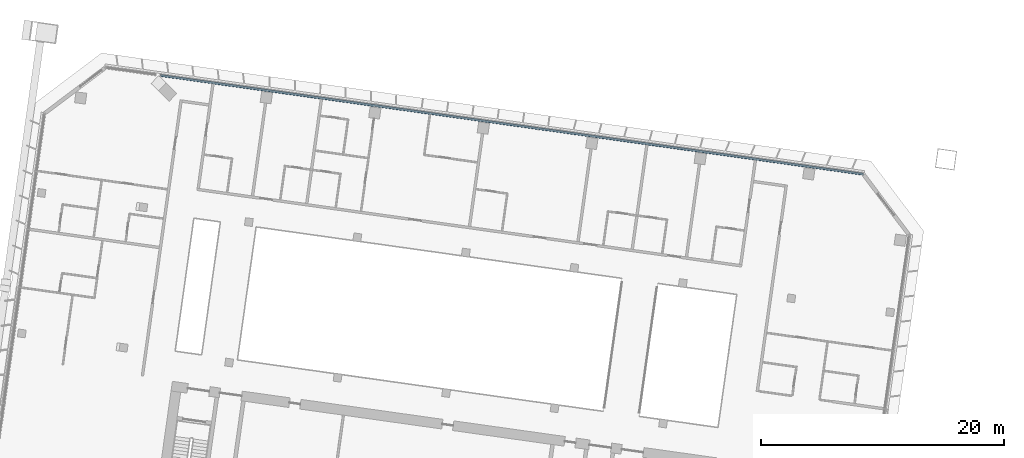
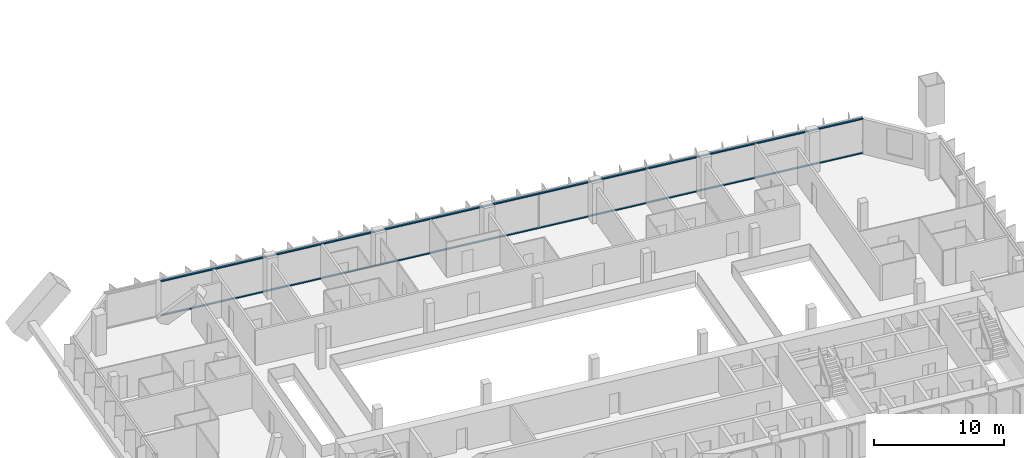
# One storey, part 6 of 34: 2 members, 1 element without a shape of its own.
"""IFC4 building model written with IfcOpenShell, lengths in metres."""

from ifc_helpers import new_model, si_unit, direction, frame, origin, origin_2d, place, context, subcontext, project, spatial, rectangle, extrude, material, material_profile, profile_set, type_object, element, aggregate, save


model = new_model("IFC4")

# Units and contexts
model_context = context("Model", 3, precision=1e-05, world=origin(), true_north=direction((0.0, 1.0)))
body_context = subcontext(model_context, "Body", "Model", "MODEL_VIEW")
ifc_project = project(units=[si_unit("LENGTHUNIT", "METRE"), si_unit("AREAUNIT", "SQUARE_METRE"), si_unit("VOLUMEUNIT", "CUBIC_METRE"), si_unit("PLANEANGLEUNIT", "RADIAN"), si_unit("MASSUNIT", "GRAM", prefix="KILO")], contexts=[model_context])

# Site, building, storey
site_placement = place(None, origin())
site = spatial("IfcSite", under=ifc_project, at=site_placement, CompositionType="ELEMENT")
building_placement = place(site_placement, origin())
building = spatial("IfcBuilding", under=site, at=building_placement, Name="Mirante Cascada Hotel Towers", CompositionType="ELEMENT")
storey_placement = place(building_placement, frame((0.0, 0.0, 148.1)))
storey = spatial("IfcBuildingStorey", under=building, at=storey_placement, Name="L34", CompositionType="ELEMENT", Elevation=148.1)

# Curtain wall, members
ifc_material_1 = material(Name="Aluminium mullion and transom frame with clear laminated glass", Category="aluminium")
curtain_wall_type = type_object("IfcCurtainWallType", Name="Ribbon curtain wall ECW1", PredefinedType="NOTDEFINED", material=ifc_material_1)
curtain_wall_placement = place(storey_placement, origin())
curtain_wall = element("IfcCurtainWall", 1, at=curtain_wall_placement, inside=storey, type_object=curtain_wall_type, Name="Front ribbon wall T1 L34", PredefinedType="NOTDEFINED")
ifc_material_2 = material(Name="Anodised aluminium extrusion", Category="aluminium")
ifc_material_profile = material_profile(ifc_material_2, rectangle(XDim=0.16, YDim=0.1, at=origin_2d()), Name="ECW1 TRANSOM 100x160")
ifc_profile_set = profile_set([ifc_material_profile], Name="Anodised aluminium extrusion")
member_type = type_object("IfcMemberType", Name="ECW1 transom 100x160", PredefinedType="USERDEFINED", material=ifc_profile_set)
member_1_placement = place(storey_placement, frame((-89.612, 25.4132, 0.05), z_axis=(0.9902681, -0.1391732, 0.0), x_axis=(0.1391732, 0.9902681, 0.0)))
member_1 = element("IfcMember", 2, at=member_1_placement, type_object=member_type, Name="ECW1 sill transom", ObjectType="TRANSOM", PredefinedType="USERDEFINED", context=body_context, shape_type="SweptSolid", body=[
    extrude(rectangle(XDim=0.16, YDim=0.1, at=origin_2d()), origin(), (0.0, 0.0, 1.0), 58.2849),
])
member_2_placement = place(storey_placement, frame((-89.612, 25.4132, 3.25), z_axis=(0.9902681, -0.1391732, 0.0), x_axis=(0.1391732, 0.9902681, 0.0)))
member_2 = element("IfcMember", 3, at=member_2_placement, type_object=member_type, Name="ECW1 head transom", ObjectType="TRANSOM", PredefinedType="USERDEFINED", context=body_context, shape_type="SweptSolid", body=[
    extrude(rectangle(XDim=0.16, YDim=0.1, at=origin_2d()), origin(), (0.0, 0.0, 1.0), 58.2849),
])
aggregate(curtain_wall, [member_1, member_2])

save(model, "model.ifc")
